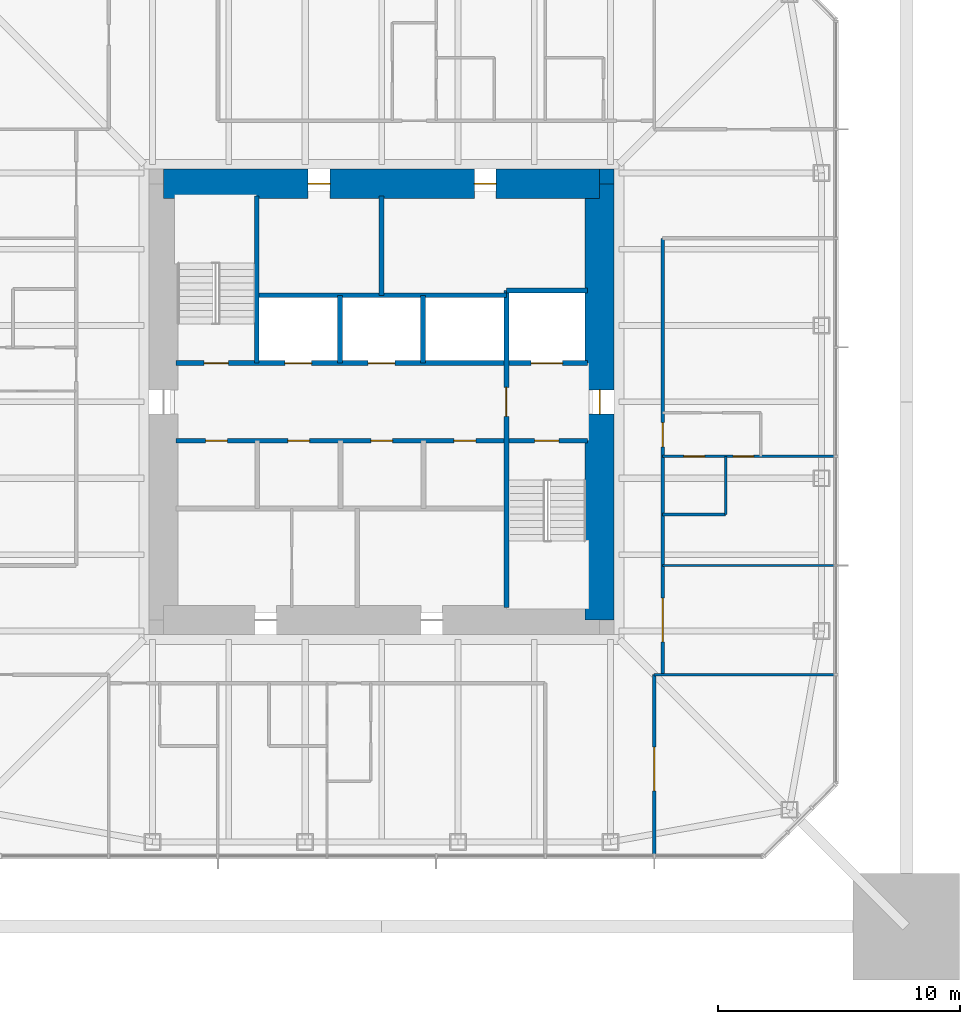
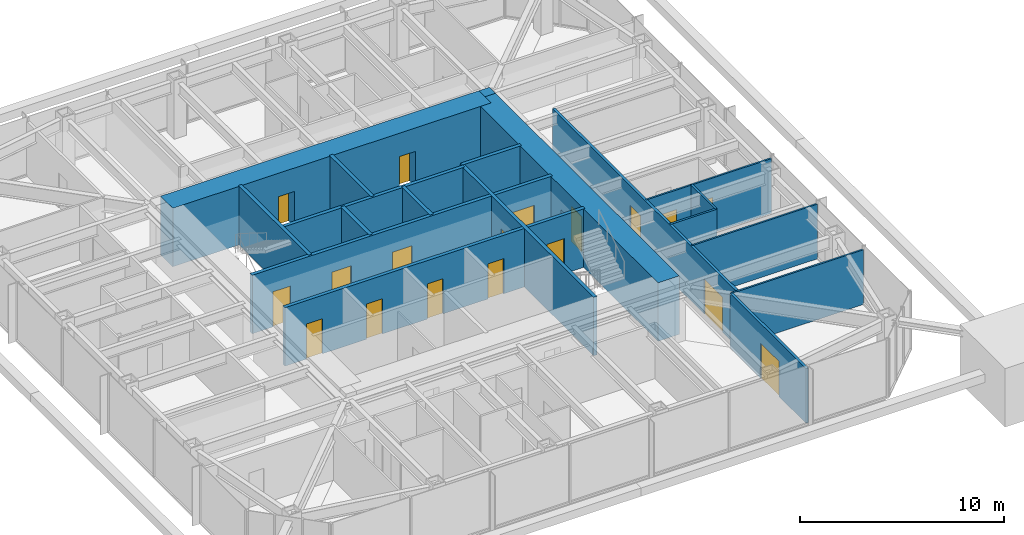
# One storey, part 9 of 13: 19 walls, 18 doors, 18 openings.
"""IFC4 building model written with IfcOpenShell, lengths in metres."""

from ifc_helpers import new_model, si_unit, direction, frame, frame_2d, origin, place, context, subcontext, project, spatial, rectangle, extrude, material, layer, layer_set, type_object, element, fill, save


model = new_model("IFC4")

# Units and contexts
model_context = context("Model", 3, precision=1e-05, world=origin(), true_north=direction((0.0, 1.0)))
body_context = subcontext(model_context, "Body", "Model", "MODEL_VIEW")
ifc_project = project(units=[si_unit("LENGTHUNIT", "METRE"), si_unit("AREAUNIT", "SQUARE_METRE"), si_unit("VOLUMEUNIT", "CUBIC_METRE"), si_unit("PLANEANGLEUNIT", "RADIAN"), si_unit("MASSUNIT", "GRAM", prefix="KILO")], contexts=[model_context])

# Site, building, storey
site_placement = place(None, origin())
site = spatial("IfcSite", under=ifc_project, at=site_placement, CompositionType="ELEMENT")
building_placement = place(site_placement, origin())
building = spatial("IfcBuilding", under=site, at=building_placement, Name="Iwan Alto Co-Living Towers", CompositionType="ELEMENT")
storey_placement = place(building_placement, frame((0.0, 0.0, 191.5)))
storey = spatial("IfcBuildingStorey", under=building, at=storey_placement, Name="L52", CompositionType="ELEMENT", Elevation=191.5)

# Wall, openings, doors
ifc_material_1 = material(Name="Gypsum board")
ifc_layer_1 = layer(ifc_material_1, 0.02490234375, Name="Board", Category="Finish")
ifc_material_2 = material(Name="Steel ASTM A1003 ST33H cold-formed studs", Category="steel")
ifc_layer_2 = layer(ifc_material_2, 0.10009765625, Name="Studs", Category="Framing")
ifc_layer_3 = layer(ifc_material_1, 0.02490234375, Name="Board", Category="Finish")
ifc_layer_set_1 = layer_set([ifc_layer_1, ifc_layer_2, ifc_layer_3], Name="CORRIDOR WALL 150")
wall_type_1 = type_object("IfcWallType", Name="CORRIDOR WALL 150", PredefinedType="PARTITIONING", material=ifc_layer_set_1)
wall_1_placement = place(storey_placement, frame((11.60009765625, -11.25, 0.0), z_axis=(0.0, 0.0, 1.0), x_axis=(0.0, 1.0, 0.0)))
wall_1 = element("IfcWall", 1, at=wall_1_placement, inside=storey, type_object=wall_type_1, Name="Partition L52", PredefinedType="PARTITIONING", context=body_context, shape_type="SweptSolid", body=[
    extrude(rectangle(XDim=18.0, YDim=0.14990234375, at=frame_2d((9.0, 0.0))), origin(), (0.0, 0.0, 1.0), 3.27001953125),
])
opening_1_placement = place(wall_1_placement, frame((1.35009765625, 0.0, 0.0)))
opening_1 = element("IfcOpeningElement", 2, at=opening_1_placement, cuts=wall_1, Name="Opening D9", PredefinedType="OPENING", context=body_context, shape_type="SweptSolid", body=[
    extrude(rectangle(XDim=1.800048828125, YDim=2.10009765625, at=frame_2d((0.89990234375, 1.050048828125))), frame((0.0, 0.0849609375, 0.0), z_axis=(0.0, -1.0, 0.0), x_axis=(1.0, 0.0, 0.0)), (0.0, 0.0, 1.0), 0.169921875),
])
opening_2_placement = place(wall_1_placement, frame((9.39990234375, 0.0, 0.0)))
opening_2 = element("IfcOpeningElement", 3, at=opening_2_placement, cuts=wall_1, Name="Opening D3", PredefinedType="OPENING", context=body_context, shape_type="SweptSolid", body=[
    extrude(rectangle(XDim=1.0, YDim=2.10009765625, at=frame_2d((0.5, 1.050048828125))), frame((0.0, 0.0849609375, 0.0), z_axis=(0.0, -1.0, 0.0), x_axis=(1.0, 0.0, 0.0)), (0.0, 0.0, 1.0), 0.169921875),
])
ifc_material_3 = material(Name="Steel frame with timber leaf", Category="steel")
door_type_1 = type_object("IfcDoorType", Name="FLAT ENTRANCE DOOR FD30S 1000X2100", OperationType="SINGLE_SWING_LEFT", PredefinedType="DOOR", material=ifc_material_3)
door_1_placement = place(opening_2_placement, frame((1.0, 0.0, 0.0), z_axis=(0.0, 0.0, 1.0), x_axis=(-1.0, 0.0, 0.0)))
door_1 = element("IfcDoor", 4, at=door_1_placement, inside=storey, type_object=door_type_1, Name="Apartment foyer door L52", OperationType="SINGLE_SWING_RIGHT", OverallHeight=2.10009765625, OverallWidth=1.0, PredefinedType="DOOR", context=body_context, shape_type="SweptSolid", body=[
    extrude(rectangle(XDim=1.0, YDim=2.10009765625, at=frame_2d((0.5, 1.050048828125))), frame((0.0, 0.02490234375, 0.0), z_axis=(0.0, -1.0, 0.0), x_axis=(1.0, 0.0, 0.0)), (0.0, 0.0, 1.0), 0.050048828125),
])
fill(opening_2, door_1)
ifc_material_4 = material(Name="Steel frame with timber leaf", Category="steel")
door_type_2 = type_object("IfcDoorType", Name="LOUNGE DOOR FD30S 1800X2100", OperationType="DOUBLE_DOOR_SINGLE_SWING", PredefinedType="DOOR", material=ifc_material_4)
door_2_placement = place(opening_1_placement, frame((1.800048828125, 0.0, 0.0), z_axis=(0.0, 0.0, 1.0), x_axis=(-1.0, 0.0, 0.0)))
door_2 = element("IfcDoor", 5, at=door_2_placement, inside=storey, type_object=door_type_2, Name="Games room door L52", OperationType="DOUBLE_DOOR_SINGLE_SWING", OverallHeight=2.10009765625, OverallWidth=1.800048828125, PredefinedType="DOOR", context=body_context, shape_type="SweptSolid", body=[
    extrude(rectangle(XDim=1.800048828125, YDim=2.10009765625, at=frame_2d((0.89990234375, 1.050048828125))), frame((0.0, 0.02490234375, 0.0), z_axis=(0.0, -1.0, 0.0), x_axis=(1.0, 0.0, 0.0)), (0.0, 0.0, 1.0), 0.050048828125),
])
fill(opening_1, door_2)

# Wall, opening, door
wall_2_placement = place(storey_placement, frame((11.25, -18.68994140625, 0.0), z_axis=(0.0, 0.0, 1.0), x_axis=(0.0, 1.0, 0.0)))
wall_2 = element("IfcWall", 6, at=wall_2_placement, inside=storey, type_object=wall_type_1, Name="Partition L52", PredefinedType="PARTITIONING", context=body_context, shape_type="SweptSolid", body=[
    extrude(rectangle(XDim=7.43994140625, YDim=0.14990234375, at=frame_2d((3.719970703125, 0.0))), origin(), (0.0, 0.0, 1.0), 3.27001953125),
])
opening_3_placement = place(wall_2_placement, frame((2.64501953125, 0.0, 0.0)))
opening_3 = element("IfcOpeningElement", 7, at=opening_3_placement, cuts=wall_2, Name="Opening D9", PredefinedType="OPENING", context=body_context, shape_type="SweptSolid", body=[
    extrude(rectangle(XDim=1.800048828125, YDim=2.10009765625, at=frame_2d((0.89990234375, 1.050048828125))), frame((0.0, 0.0849609375, 0.0), z_axis=(0.0, -1.0, 0.0), x_axis=(1.0, 0.0, 0.0)), (0.0, 0.0, 1.0), 0.169921875),
])
door_3_placement = place(opening_3_placement, frame((1.800048828125, 0.0, 0.0), z_axis=(0.0, 0.0, 1.0), x_axis=(-1.0, 0.0, 0.0)))
door_3 = element("IfcDoor", 8, at=door_3_placement, inside=storey, type_object=door_type_2, Name="Courtyard lounge door L52", OperationType="DOUBLE_DOOR_SINGLE_SWING", OverallHeight=2.10009765625, OverallWidth=1.800048828125, PredefinedType="DOOR", context=body_context, shape_type="SweptSolid", body=[
    extrude(rectangle(XDim=1.800048828125, YDim=2.10009765625, at=frame_2d((0.89990234375, 1.050048828125))), frame((0.0, 0.02490234375, 0.0), z_axis=(0.0, -1.0, 0.0), x_axis=(1.0, 0.0, 0.0)), (0.0, 0.0, 1.0), 0.050048828125),
])
fill(opening_3, door_3)

# Walls
ifc_layer_4 = layer(ifc_material_1, 0.012451171875, Name="Board", Category="Finish")
ifc_layer_5 = layer(ifc_material_2, 0.074951171875, Name="Studs", Category="Framing")
ifc_layer_6 = layer(ifc_material_1, 0.012451171875, Name="Board", Category="Finish")
ifc_layer_set_2 = layer_set([ifc_layer_4, ifc_layer_5, ifc_layer_6], Name="PARTITION 100")
wall_type_2 = type_object("IfcWallType", Name="PARTITION 100", PredefinedType="PARTITIONING", material=ifc_layer_set_2)
wall_3_placement = place(storey_placement, frame((11.25, -11.25, 0.0), z_axis=(0.0, 0.0, 1.0), x_axis=(1.0, 0.0, 0.0)))
element("IfcWall", 9, at=wall_3_placement, inside=storey, type_object=wall_type_2, Name="Partition L52", PredefinedType="PARTITIONING", context=body_context, shape_type="SweptSolid", body=[
    extrude(rectangle(XDim=7.43994140625, YDim=0.10009765625, at=frame_2d((3.719970703125, 0.0))), origin(), (0.0, 0.0, 1.0), 3.27001953125),
])
wall_4_placement = place(storey_placement, frame((11.60009765625, -6.75, 0.0), z_axis=(0.0, 0.0, 1.0), x_axis=(1.0, 0.0, 0.0)))
element("IfcWall", 10, at=wall_4_placement, inside=storey, type_object=wall_type_2, Name="Partition L52", PredefinedType="PARTITIONING", context=body_context, shape_type="SweptSolid", body=[
    extrude(rectangle(XDim=7.08984375, YDim=0.10009765625, at=frame_2d((3.544921875, 0.0))), origin(), (0.0, 0.0, 1.0), 3.27001953125),
])

# Wall, openings, doors
wall_5_placement = place(storey_placement, frame((11.60009765625, -2.25, 0.0), z_axis=(0.0, 0.0, 1.0), x_axis=(1.0, 0.0, 0.0)))
wall_5 = element("IfcWall", 11, at=wall_5_placement, inside=storey, type_object=wall_type_2, Name="Partition L52", PredefinedType="PARTITIONING", context=body_context, shape_type="SweptSolid", body=[
    extrude(rectangle(XDim=7.08984375, YDim=0.10009765625, at=frame_2d((3.544921875, 0.0))), origin(), (0.0, 0.0, 1.0), 3.27001953125),
])
opening_4_placement = place(wall_5_placement, frame((2.89990234375, 0.0, 0.0)))
opening_4 = element("IfcOpeningElement", 12, at=opening_4_placement, cuts=wall_5, Name="Opening D2", PredefinedType="OPENING", context=body_context, shape_type="SweptSolid", body=[
    extrude(rectangle(XDim=0.85009765625, YDim=2.10009765625, at=frame_2d((0.425048828125, 1.050048828125))), frame((0.0, 0.06005859375, 0.0), z_axis=(0.0, -1.0, 0.0), x_axis=(1.0, 0.0, 0.0)), (0.0, 0.0, 1.0), 0.1201171875),
])
opening_5_placement = place(wall_5_placement, frame((0.875, 0.0, 0.0)))
opening_5 = element("IfcOpeningElement", 13, at=opening_5_placement, cuts=wall_5, Name="Opening D2", PredefinedType="OPENING", context=body_context, shape_type="SweptSolid", body=[
    extrude(rectangle(XDim=0.85009765625, YDim=2.10009765625, at=frame_2d((0.425048828125, 1.050048828125))), frame((0.0, 0.06005859375, 0.0), z_axis=(0.0, -1.0, 0.0), x_axis=(1.0, 0.0, 0.0)), (0.0, 0.0, 1.0), 0.1201171875),
])
ifc_material_5 = material(Name="Timber leaf in steel frame", Category="steel")
door_type_3 = type_object("IfcDoorType", Name="ROOM DOOR 850X2100", OperationType="SINGLE_SWING_LEFT", PredefinedType="DOOR", material=ifc_material_5)
door_4_placement = place(opening_4_placement, frame((0.85009765625, 0.0, 0.0), z_axis=(0.0, 0.0, 1.0), x_axis=(-1.0, 0.0, 0.0)))
door_4 = element("IfcDoor", 14, at=door_4_placement, inside=storey, type_object=door_type_3, Name="Bedroom door L52", OperationType="SINGLE_SWING_RIGHT", OverallHeight=2.10009765625, OverallWidth=0.85009765625, PredefinedType="DOOR", context=body_context, shape_type="SweptSolid", body=[
    extrude(rectangle(XDim=0.85009765625, YDim=2.10009765625, at=frame_2d((0.425048828125, 1.050048828125))), frame((0.0, 0.02490234375, 0.0), z_axis=(0.0, -1.0, 0.0), x_axis=(1.0, 0.0, 0.0)), (0.0, 0.0, 1.0), 0.050048828125),
])
fill(opening_4, door_4)
door_5_placement = place(opening_5_placement, frame((0.85009765625, 0.0, 0.0), z_axis=(0.0, 0.0, 1.0), x_axis=(-1.0, 0.0, 0.0)))
door_5 = element("IfcDoor", 15, at=door_5_placement, inside=storey, type_object=door_type_3, Name="Bathroom door L52", OperationType="SINGLE_SWING_RIGHT", OverallHeight=2.10009765625, OverallWidth=0.85009765625, PredefinedType="DOOR", context=body_context, shape_type="SweptSolid", body=[
    extrude(rectangle(XDim=0.85009765625, YDim=2.10009765625, at=frame_2d((0.425048828125, 1.050048828125))), frame((0.0, 0.02490234375, 0.0), z_axis=(0.0, -1.0, 0.0), x_axis=(1.0, 0.0, 0.0)), (0.0, 0.0, 1.0), 0.050048828125),
])
fill(opening_5, door_5)

ifc_material_6 = material(Name="Concrete f'c 70 MPa", Category="concrete")
ifc_layer_7 = layer(ifc_material_6, 0.199951171875)
ifc_layer_set_3 = layer_set([ifc_layer_7], Name="SHAFT WALL 200")
wall_type_3 = type_object("IfcWallType", Name="SHAFT WALL 200", PredefinedType="SOLIDWALL", material=ifc_layer_set_3)
wall_6_placement = place(storey_placement, frame((-8.489990234375, -1.60009765625, 0.0), z_axis=(0.0, 0.0, 1.0), x_axis=(1.0, 0.0, 0.0)))
wall_6 = element("IfcWall", 16, at=wall_6_placement, inside=storey, type_object=wall_type_3, Name="Shaft wall L52", PredefinedType="SOLIDWALL", context=body_context, shape_type="SweptSolid", body=[
    extrude(rectangle(XDim=16.97998046875, YDim=0.199951171875, at=frame_2d((8.489990234375, 0.0))), origin(), (0.0, 0.0, 1.0), 3.5),
])
opening_6_placement = place(wall_6_placement, frame((14.81005859375, 0.0, 0.0)))
opening_6 = element("IfcOpeningElement", 17, at=opening_6_placement, cuts=wall_6, Name="Opening D5", PredefinedType="OPENING", context=body_context, shape_type="SweptSolid", body=[
    extrude(rectangle(XDim=1.0, YDim=2.10009765625, at=frame_2d((0.5, 1.050048828125))), frame((0.0, 0.10986328125, 0.0), z_axis=(0.0, -1.0, 0.0), x_axis=(1.0, 0.0, 0.0)), (0.0, 0.0, 1.0), 0.219970703125),
])
opening_7_placement = place(wall_6_placement, frame((1.23193359375, 0.0, 0.0)))
opening_7 = element("IfcOpeningElement", 18, at=opening_7_placement, cuts=wall_6, Name="Opening D15", PredefinedType="OPENING", context=body_context, shape_type="SweptSolid", body=[
    extrude(rectangle(XDim=0.89990234375, YDim=2.10009765625, at=frame_2d((0.449951171875, 1.050048828125))), frame((0.0, 0.10986328125, 0.0), z_axis=(0.0, -1.0, 0.0), x_axis=(1.0, 0.0, 0.0)), (0.0, 0.0, 1.0), 0.219970703125),
])
opening_8_placement = place(wall_6_placement, frame((4.626953125, 0.0, 0.0)))
opening_8 = element("IfcOpeningElement", 19, at=opening_8_placement, cuts=wall_6, Name="Opening D15", PredefinedType="OPENING", context=body_context, shape_type="SweptSolid", body=[
    extrude(rectangle(XDim=0.89990234375, YDim=2.10009765625, at=frame_2d((0.449951171875, 1.050048828125))), frame((0.0, 0.10986328125, 0.0), z_axis=(0.0, -1.0, 0.0), x_axis=(1.0, 0.0, 0.0)), (0.0, 0.0, 1.0), 0.219970703125),
])
opening_9_placement = place(wall_6_placement, frame((8.052001953125, 0.0, 0.0)))
opening_9 = element("IfcOpeningElement", 20, at=opening_9_placement, cuts=wall_6, Name="Opening D15", PredefinedType="OPENING", context=body_context, shape_type="SweptSolid", body=[
    extrude(rectangle(XDim=0.89990234375, YDim=2.10009765625, at=frame_2d((0.449951171875, 1.050048828125))), frame((0.0, 0.10986328125, 0.0), z_axis=(0.0, -1.0, 0.0), x_axis=(1.0, 0.0, 0.0)), (0.0, 0.0, 1.0), 0.219970703125),
])
opening_10_placement = place(wall_6_placement, frame((11.47802734375, 0.0, 0.0)))
opening_10 = element("IfcOpeningElement", 21, at=opening_10_placement, cuts=wall_6, Name="Opening D15", PredefinedType="OPENING", context=body_context, shape_type="SweptSolid", body=[
    extrude(rectangle(XDim=0.89990234375, YDim=2.10009765625, at=frame_2d((0.449951171875, 1.050048828125))), frame((0.0, 0.10986328125, 0.0), z_axis=(0.0, -1.0, 0.0), x_axis=(1.0, 0.0, 0.0)), (0.0, 0.0, 1.0), 0.219970703125),
])
ifc_material_7 = material(Name="Steel frame with timber leaf", Category="steel")
door_type_4 = type_object("IfcDoorType", Name="CORE ROOM DOOR FD60S 900X2100", OperationType="SINGLE_SWING_LEFT", PredefinedType="DOOR", material=ifc_material_7)
door_6_placement = place(opening_7_placement, frame((0.89990234375, 0.0, 0.0), z_axis=(0.0, 0.0, 1.0), x_axis=(-1.0, 0.0, 0.0)))
door_6 = element("IfcDoor", 22, at=door_6_placement, inside=storey, type_object=door_type_4, Name="Housekeeping store door L52", OperationType="SINGLE_SWING_LEFT", OverallHeight=2.10009765625, OverallWidth=0.89990234375, PredefinedType="DOOR", context=body_context, shape_type="SweptSolid", body=[
    extrude(rectangle(XDim=0.89990234375, YDim=2.10009765625, at=frame_2d((0.449951171875, 1.050048828125))), frame((0.0, 0.02490234375, 0.0), z_axis=(0.0, -1.0, 0.0), x_axis=(1.0, 0.0, 0.0)), (0.0, 0.0, 1.0), 0.050048828125),
])
fill(opening_7, door_6)
door_7_placement = place(opening_8_placement, frame((0.89990234375, 0.0, 0.0), z_axis=(0.0, 0.0, 1.0), x_axis=(-1.0, 0.0, 0.0)))
door_7 = element("IfcDoor", 23, at=door_7_placement, inside=storey, type_object=door_type_4, Name="Staff WC door L52", OperationType="SINGLE_SWING_RIGHT", OverallHeight=2.10009765625, OverallWidth=0.89990234375, PredefinedType="DOOR", context=body_context, shape_type="SweptSolid", body=[
    extrude(rectangle(XDim=0.89990234375, YDim=2.10009765625, at=frame_2d((0.449951171875, 1.050048828125))), frame((0.0, 0.02490234375, 0.0), z_axis=(0.0, -1.0, 0.0), x_axis=(1.0, 0.0, 0.0)), (0.0, 0.0, 1.0), 0.050048828125),
])
fill(opening_8, door_7)
door_8_placement = place(opening_9_placement, frame((0.89990234375, 0.0, 0.0), z_axis=(0.0, 0.0, 1.0), x_axis=(-1.0, 0.0, 0.0)))
door_8 = element("IfcDoor", 24, at=door_8_placement, inside=storey, type_object=door_type_4, Name="Comms room door L52", OperationType="SINGLE_SWING_RIGHT", OverallHeight=2.10009765625, OverallWidth=0.89990234375, PredefinedType="DOOR", context=body_context, shape_type="SweptSolid", body=[
    extrude(rectangle(XDim=0.89990234375, YDim=2.10009765625, at=frame_2d((0.449951171875, 1.050048828125))), frame((0.0, 0.02490234375, 0.0), z_axis=(0.0, -1.0, 0.0), x_axis=(1.0, 0.0, 0.0)), (0.0, 0.0, 1.0), 0.050048828125),
])
fill(opening_9, door_8)
door_9_placement = place(opening_10_placement, frame((0.89990234375, 0.0, 0.0), z_axis=(0.0, 0.0, 1.0), x_axis=(-1.0, 0.0, 0.0)))
door_9 = element("IfcDoor", 25, at=door_9_placement, inside=storey, type_object=door_type_4, Name="Staff WC door L52", OperationType="SINGLE_SWING_RIGHT", OverallHeight=2.10009765625, OverallWidth=0.89990234375, PredefinedType="DOOR", context=body_context, shape_type="SweptSolid", body=[
    extrude(rectangle(XDim=0.89990234375, YDim=2.10009765625, at=frame_2d((0.449951171875, 1.050048828125))), frame((0.0, 0.02490234375, 0.0), z_axis=(0.0, -1.0, 0.0), x_axis=(1.0, 0.0, 0.0)), (0.0, 0.0, 1.0), 0.050048828125),
])
fill(opening_10, door_9)
ifc_material_8 = material(Name="Steel frame with timber leaf", Category="steel")
door_type_5 = type_object("IfcDoorType", Name="STAIR DOOR FD120S 1000X2100", OperationType="SINGLE_SWING_LEFT", PredefinedType="DOOR", material=ifc_material_8)
door_10_placement = place(opening_6_placement, frame((1.0, 0.0, 0.0), z_axis=(0.0, 0.0, 1.0), x_axis=(-1.0, 0.0, 0.0)))
door_10 = element("IfcDoor", 26, at=door_10_placement, inside=storey, type_object=door_type_5, Name="Stair S2 door L52", OperationType="SINGLE_SWING_RIGHT", OverallHeight=2.10009765625, OverallWidth=1.0, PredefinedType="DOOR", context=body_context, shape_type="SweptSolid", body=[
    extrude(rectangle(XDim=1.0, YDim=2.10009765625, at=frame_2d((0.5, 1.050048828125))), frame((0.0, 0.02490234375, 0.0), z_axis=(0.0, -1.0, 0.0), x_axis=(1.0, 0.0, 0.0)), (0.0, 0.0, 1.0), 0.050048828125),
])
fill(opening_6, door_10)

wall_7_placement = place(storey_placement, frame((-8.489990234375, 1.60009765625, 0.0), z_axis=(0.0, 0.0, 1.0), x_axis=(1.0, 0.0, 0.0)))
wall_7 = element("IfcWall", 27, at=wall_7_placement, inside=storey, type_object=wall_type_3, Name="Shaft wall L52", PredefinedType="SOLIDWALL", context=body_context, shape_type="SweptSolid", body=[
    extrude(rectangle(XDim=16.97998046875, YDim=0.199951171875, at=frame_2d((8.489990234375, 0.0))), origin(), (0.0, 0.0, 1.0), 3.5),
])
opening_11_placement = place(wall_7_placement, frame((1.169921875, 0.0, 0.0)))
opening_11 = element("IfcOpeningElement", 28, at=opening_11_placement, cuts=wall_7, Name="Opening D5", PredefinedType="OPENING", context=body_context, shape_type="SweptSolid", body=[
    extrude(rectangle(XDim=1.0, YDim=2.10009765625, at=frame_2d((0.5, 1.050048828125))), frame((0.0, 0.10986328125, 0.0), z_axis=(0.0, -1.0, 0.0), x_axis=(1.0, 0.0, 0.0)), (0.0, 0.0, 1.0), 0.219970703125),
])
opening_12_placement = place(wall_7_placement, frame((4.506103515625, 0.0, 0.0)))
opening_12 = element("IfcOpeningElement", 29, at=opening_12_placement, cuts=wall_7, Name="Opening LD", PredefinedType="OPENING", context=body_context, shape_type="SweptSolid", body=[
    extrude(rectangle(XDim=1.10009765625, YDim=2.10009765625, at=frame_2d((0.550048828125, 1.050048828125))), frame((0.0, 0.10986328125, 0.0), z_axis=(0.0, -1.0, 0.0), x_axis=(1.0, 0.0, 0.0)), (0.0, 0.0, 1.0), 0.219970703125),
])
opening_13_placement = place(wall_7_placement, frame((7.93994140625, 0.0, 0.0)))
opening_13 = element("IfcOpeningElement", 30, at=opening_13_placement, cuts=wall_7, Name="Opening LD", PredefinedType="OPENING", context=body_context, shape_type="SweptSolid", body=[
    extrude(rectangle(XDim=1.10009765625, YDim=2.10009765625, at=frame_2d((0.550048828125, 1.050048828125))), frame((0.0, 0.10986328125, 0.0), z_axis=(0.0, -1.0, 0.0), x_axis=(1.0, 0.0, 0.0)), (0.0, 0.0, 1.0), 0.219970703125),
])
opening_14_placement = place(wall_7_placement, frame((14.659912109375, 0.0, 0.0)))
opening_14 = element("IfcOpeningElement", 31, at=opening_14_placement, cuts=wall_7, Name="Opening LD2", PredefinedType="OPENING", context=body_context, shape_type="SweptSolid", body=[
    extrude(rectangle(XDim=1.300048828125, YDim=2.10009765625, at=frame_2d((0.64990234375, 1.050048828125))), frame((0.0, 0.10986328125, 0.0), z_axis=(0.0, -1.0, 0.0), x_axis=(1.0, 0.0, 0.0)), (0.0, 0.0, 1.0), 0.219970703125),
])
ifc_material_9 = material(Name="Steel frame with timber leaf", Category="steel")
door_type_6 = type_object("IfcDoorType", Name="LIFT LANDING DOOR 1100X2100", OperationType="DOUBLE_DOOR_SLIDING", PredefinedType="DOOR", material=ifc_material_9)
door_11_placement = place(opening_12_placement, origin())
door_11 = element("IfcDoor", 32, at=door_11_placement, inside=storey, type_object=door_type_6, Name="Lift P3-1 landing door L52", OperationType="DOUBLE_DOOR_SLIDING", OverallHeight=2.10009765625, OverallWidth=1.10009765625, PredefinedType="DOOR", context=body_context, shape_type="SweptSolid", body=[
    extrude(rectangle(XDim=1.10009765625, YDim=2.10009765625, at=frame_2d((0.550048828125, 1.050048828125))), frame((0.0, 0.02490234375, 0.0), z_axis=(0.0, -1.0, 0.0), x_axis=(1.0, 0.0, 0.0)), (0.0, 0.0, 1.0), 0.050048828125),
])
fill(opening_12, door_11)
door_12_placement = place(opening_13_placement, origin())
door_12 = element("IfcDoor", 33, at=door_12_placement, inside=storey, type_object=door_type_6, Name="Lift P3-2 landing door L52", OperationType="DOUBLE_DOOR_SLIDING", OverallHeight=2.10009765625, OverallWidth=1.10009765625, PredefinedType="DOOR", context=body_context, shape_type="SweptSolid", body=[
    extrude(rectangle(XDim=1.10009765625, YDim=2.10009765625, at=frame_2d((0.550048828125, 1.050048828125))), frame((0.0, 0.02490234375, 0.0), z_axis=(0.0, -1.0, 0.0), x_axis=(1.0, 0.0, 0.0)), (0.0, 0.0, 1.0), 0.050048828125),
])
fill(opening_13, door_12)
ifc_material_10 = material(Name="Steel frame with timber leaf", Category="steel")
door_type_7 = type_object("IfcDoorType", Name="LIFT LANDING DOOR 1300X2100", OperationType="SLIDING_TO_LEFT", PredefinedType="DOOR", material=ifc_material_10)
door_13_placement = place(opening_14_placement, origin())
door_13 = element("IfcDoor", 34, at=door_13_placement, inside=storey, type_object=door_type_7, Name="Lift FL1 landing door L52", OperationType="SLIDING_TO_LEFT", OverallHeight=2.10009765625, OverallWidth=1.300048828125, PredefinedType="DOOR", context=body_context, shape_type="SweptSolid", body=[
    extrude(rectangle(XDim=1.300048828125, YDim=2.10009765625, at=frame_2d((0.64990234375, 1.050048828125))), frame((0.0, 0.02490234375, 0.0), z_axis=(0.0, -1.0, 0.0), x_axis=(1.0, 0.0, 0.0)), (0.0, 0.0, 1.0), 0.050048828125),
])
fill(opening_14, door_13)
door_14_placement = place(opening_11_placement, origin())
door_14 = element("IfcDoor", 35, at=door_14_placement, inside=storey, type_object=door_type_5, Name="Stair S1 door L52", OperationType="SINGLE_SWING_RIGHT", OverallHeight=2.10009765625, OverallWidth=1.0, PredefinedType="DOOR", context=body_context, shape_type="SweptSolid", body=[
    extrude(rectangle(XDim=1.0, YDim=2.10009765625, at=frame_2d((0.5, 1.050048828125))), frame((0.0, 0.02490234375, 0.0), z_axis=(0.0, -1.0, 0.0), x_axis=(1.0, 0.0, 0.0)), (0.0, 0.0, 1.0), 0.050048828125),
])
fill(opening_11, door_14)

# Walls
wall_8_placement = place(storey_placement, frame((-5.14990234375, 4.39990234375, 0.0), z_axis=(0.0, 0.0, 1.0), x_axis=(1.0, 0.0, 0.0)))
element("IfcWall", 36, at=wall_8_placement, inside=storey, type_object=wall_type_3, Name="Shaft wall L52", PredefinedType="SOLIDWALL", context=body_context, shape_type="SweptSolid", body=[
    extrude(rectangle(XDim=10.2998046875, YDim=0.199951171875, at=frame_2d((5.14990234375, 0.0))), origin(), (0.0, 0.0, 1.0), 3.5),
])
wall_9_placement = place(storey_placement, frame((5.14990234375, 4.60009765625, 0.0), z_axis=(0.0, 0.0, 1.0), x_axis=(1.0, 0.0, 0.0)))
element("IfcWall", 37, at=wall_9_placement, inside=storey, type_object=wall_type_3, Name="Shaft wall L52", PredefinedType="SOLIDWALL", context=body_context, shape_type="SweptSolid", body=[
    extrude(rectangle(XDim=3.340087890625, YDim=0.199951171875, at=frame_2d((1.669921875, 0.0))), origin(), (0.0, 0.0, 1.0), 3.5),
])

# Wall, opening, door
wall_10_placement = place(storey_placement, frame((5.14990234375, -8.489990234375, 0.0), z_axis=(0.0, 0.0, 1.0), x_axis=(0.0, 1.0, 0.0)))
wall_10 = element("IfcWall", 38, at=wall_10_placement, inside=storey, type_object=wall_type_3, Name="Shaft wall L52", PredefinedType="SOLIDWALL", context=body_context, shape_type="SweptSolid", body=[
    extrude(rectangle(XDim=13.090087890625, YDim=0.199951171875, at=frame_2d((6.544921875, 0.0))), origin(), (0.0, 0.0, 1.0), 3.5),
])
opening_15_placement = place(wall_10_placement, frame((7.889892578125, 0.0, 0.0)))
opening_15 = element("IfcOpeningElement", 39, at=opening_15_placement, cuts=wall_10, Name="Opening D6", PredefinedType="OPENING", context=body_context, shape_type="SweptSolid", body=[
    extrude(rectangle(XDim=1.199951171875, YDim=2.10009765625, at=frame_2d((0.60009765625, 1.050048828125))), frame((0.0, 0.10986328125, 0.0), z_axis=(0.0, -1.0, 0.0), x_axis=(1.0, 0.0, 0.0)), (0.0, 0.0, 1.0), 0.219970703125),
])
ifc_material_11 = material(Name="Steel frame with timber leaf", Category="steel")
door_type_8 = type_object("IfcDoorType", Name="LOBBY DOOR FD120S 1200X2100", OperationType="SINGLE_SWING_LEFT", PredefinedType="DOOR", material=ifc_material_11)
door_15_placement = place(opening_15_placement, frame((1.199951171875, 0.0, 0.0), z_axis=(0.0, 0.0, 1.0), x_axis=(-1.0, 0.0, 0.0)))
door_15 = element("IfcDoor", 40, at=door_15_placement, inside=storey, type_object=door_type_8, Name="Firefighting lobby door L52", OperationType="SINGLE_SWING_RIGHT", OverallHeight=2.10009765625, OverallWidth=1.199951171875, PredefinedType="DOOR", context=body_context, shape_type="SweptSolid", body=[
    extrude(rectangle(XDim=1.199951171875, YDim=2.10009765625, at=frame_2d((0.60009765625, 1.050048828125))), frame((0.0, 0.02490234375, 0.0), z_axis=(0.0, -1.0, 0.0), x_axis=(1.0, 0.0, 0.0)), (0.0, 0.0, 1.0), 0.050048828125),
])
fill(opening_15, door_15)

# Walls
wall_11_placement = place(storey_placement, frame((1.717041015625, 1.60009765625, 0.0), z_axis=(0.0, 0.0, 1.0), x_axis=(0.0, 1.0, 0.0)))
element("IfcWall", 41, at=wall_11_placement, inside=storey, type_object=wall_type_3, Name="Shaft wall L52", PredefinedType="SOLIDWALL", context=body_context, shape_type="SweptSolid", body=[
    extrude(rectangle(XDim=2.7998046875, YDim=0.199951171875, at=frame_2d((1.39990234375, 0.0))), origin(), (0.0, 0.0, 1.0), 3.5),
])
wall_12_placement = place(storey_placement, frame((0.0, 4.39990234375, 0.0), z_axis=(0.0, 0.0, 1.0), x_axis=(0.0, 1.0, 0.0)))
element("IfcWall", 42, at=wall_12_placement, inside=storey, type_object=wall_type_3, Name="Shaft wall L52", PredefinedType="SOLIDWALL", context=body_context, shape_type="SweptSolid", body=[
    extrude(rectangle(XDim=4.090087890625, YDim=0.199951171875, at=frame_2d((2.044921875, 0.0))), origin(), (0.0, 0.0, 1.0), 3.5),
])
wall_13_placement = place(storey_placement, frame((-1.717041015625, 1.60009765625, 0.0), z_axis=(0.0, 0.0, 1.0), x_axis=(0.0, 1.0, 0.0)))
element("IfcWall", 43, at=wall_13_placement, inside=storey, type_object=wall_type_3, Name="Shaft wall L52", PredefinedType="SOLIDWALL", context=body_context, shape_type="SweptSolid", body=[
    extrude(rectangle(XDim=2.7998046875, YDim=0.199951171875, at=frame_2d((1.39990234375, 0.0))), origin(), (0.0, 0.0, 1.0), 3.5),
])
wall_14_placement = place(storey_placement, frame((-5.14990234375, 1.60009765625, 0.0), z_axis=(0.0, 0.0, 1.0), x_axis=(0.0, 1.0, 0.0)))
element("IfcWall", 44, at=wall_14_placement, inside=storey, type_object=wall_type_3, Name="Shaft wall L52", PredefinedType="SOLIDWALL", context=body_context, shape_type="SweptSolid", body=[
    extrude(rectangle(XDim=6.889892578125, YDim=0.199951171875, at=frame_2d((3.44482421875, 0.0))), origin(), (0.0, 0.0, 1.0), 3.5),
])
ifc_material_12 = material(Name="Concrete f'c 70 MPa", Category="concrete")
ifc_layer_8 = layer(ifc_material_12, 0.60009765625)
ifc_layer_set_4 = layer_set([ifc_layer_8], Name="T1 CORE CORNER FILL 600")
wall_type_4 = type_object("IfcWallType", Name="T1 CORE CORNER FILL 600", PredefinedType="SOLIDWALL", material=ifc_layer_set_4)
wall_15_placement = place(storey_placement, frame((9.0, 9.300048828125, 0.0), z_axis=(0.0, 0.0, 1.0), x_axis=(1.0, 0.0, 0.0)))
element("IfcWall", 45, at=wall_15_placement, inside=storey, type_object=wall_type_4, Name="T1 core corner NE L52", PredefinedType="SOLIDWALL", context=body_context, shape_type="SweptSolid", body=[
    extrude(rectangle(XDim=0.60009765625, YDim=0.60009765625, at=frame_2d((0.300048828125, 0.0))), origin(), (0.0, 0.0, 1.0), 3.5),
])

# Wall, openings, doors
ifc_material_13 = material(Name="Concrete f'c 70 MPa", Category="concrete")
ifc_layer_9 = layer(ifc_material_13, 1.199951171875)
ifc_layer_set_5 = layer_set([ifc_layer_9], Name="T1 CORE WALL 1200")
wall_type_5 = type_object("IfcWallType", Name="T1 CORE WALL 1200", PredefinedType="SHEAR", material=ifc_layer_set_5)
wall_16_placement = place(storey_placement, frame((9.0, 9.0, 0.0), z_axis=(0.0, 0.0, 1.0), x_axis=(-1.0, 0.0, 0.0)))
wall_16 = element("IfcWall", 46, at=wall_16_placement, inside=storey, type_object=wall_type_5, Name="T1 core wall N L52", PredefinedType="SHEAR", context=body_context, shape_type="SweptSolid", body=[
    extrude(rectangle(XDim=18.0, YDim=1.199951171875, at=frame_2d((9.0, 0.0))), origin(), (0.0, 0.0, 1.0), 3.5),
])
opening_16_placement = place(wall_16_placement, frame((11.125, 0.0, 0.0)))
opening_16 = element("IfcOpeningElement", 47, at=opening_16_placement, cuts=wall_16, Name="Opening D8", PredefinedType="OPENING", context=body_context, shape_type="SweptSolid", body=[
    extrude(rectangle(XDim=0.89990234375, YDim=2.10009765625, at=frame_2d((0.449951171875, 1.050048828125))), frame((0.0, 0.60986328125, 0.0), z_axis=(0.0, -1.0, 0.0), x_axis=(1.0, 0.0, 0.0)), (0.0, 0.0, 1.0), 1.219970703125),
])
opening_17_placement = place(wall_16_placement, frame((4.27490234375, 0.0, 0.0)))
opening_17 = element("IfcOpeningElement", 48, at=opening_17_placement, cuts=wall_16, Name="Opening D8", PredefinedType="OPENING", context=body_context, shape_type="SweptSolid", body=[
    extrude(rectangle(XDim=0.89990234375, YDim=2.10009765625, at=frame_2d((0.449951171875, 1.050048828125))), frame((0.0, 0.60986328125, 0.0), z_axis=(0.0, -1.0, 0.0), x_axis=(1.0, 0.0, 0.0)), (0.0, 0.0, 1.0), 1.219970703125),
])
ifc_material_14 = material(Name="Steel frame with timber leaf", Category="steel")
door_type_9 = type_object("IfcDoorType", Name="RISER DOOR FD120 900X2100", OperationType="SINGLE_SWING_LEFT", PredefinedType="DOOR", material=ifc_material_14)
door_16_placement = place(opening_16_placement, origin())
door_16 = element("IfcDoor", 49, at=door_16_placement, inside=storey, type_object=door_type_9, Name="Electrical riser core door L52", OperationType="SINGLE_SWING_RIGHT", OverallHeight=2.10009765625, OverallWidth=0.89990234375, PredefinedType="DOOR", context=body_context, shape_type="SweptSolid", body=[
    extrude(rectangle(XDim=0.89990234375, YDim=2.10009765625, at=frame_2d((0.449951171875, 1.050048828125))), frame((0.0, 0.02490234375, 0.0), z_axis=(0.0, -1.0, 0.0), x_axis=(1.0, 0.0, 0.0)), (0.0, 0.0, 1.0), 0.050048828125),
])
fill(opening_16, door_16)
door_17_placement = place(opening_17_placement, origin())
door_17 = element("IfcDoor", 50, at=door_17_placement, inside=storey, type_object=door_type_9, Name="Water and drainage riser core door L52", OperationType="SINGLE_SWING_RIGHT", OverallHeight=2.10009765625, OverallWidth=0.89990234375, PredefinedType="DOOR", context=body_context, shape_type="SweptSolid", body=[
    extrude(rectangle(XDim=0.89990234375, YDim=2.10009765625, at=frame_2d((0.449951171875, 1.050048828125))), frame((0.0, 0.02490234375, 0.0), z_axis=(0.0, -1.0, 0.0), x_axis=(1.0, 0.0, 0.0)), (0.0, 0.0, 1.0), 0.050048828125),
])
fill(opening_17, door_17)

# Wall, opening, door
wall_17_placement = place(storey_placement, frame((9.0, -9.0, 0.0), z_axis=(0.0, 0.0, 1.0), x_axis=(0.0, 1.0, 0.0)))
wall_17 = element("IfcWall", 51, at=wall_17_placement, inside=storey, type_object=wall_type_5, Name="T1 core wall E L52", PredefinedType="SHEAR", context=body_context, shape_type="SweptSolid", body=[
    extrude(rectangle(XDim=18.0, YDim=1.199951171875, at=frame_2d((9.0, 0.0))), origin(), (0.0, 0.0, 1.0), 3.5),
])
opening_18_placement = place(wall_17_placement, frame((8.5, 0.0, 0.0)))
opening_18 = element("IfcOpeningElement", 52, at=opening_18_placement, cuts=wall_17, Name="Opening D7", PredefinedType="OPENING", context=body_context, shape_type="SweptSolid", body=[
    extrude(rectangle(XDim=1.0, YDim=2.10009765625, at=frame_2d((0.5, 1.050048828125))), frame((0.0, 0.60986328125, 0.0), z_axis=(0.0, -1.0, 0.0), x_axis=(1.0, 0.0, 0.0)), (0.0, 0.0, 1.0), 1.219970703125),
])
ifc_material_15 = material(Name="Steel frame with timber leaf", Category="steel")
door_type_10 = type_object("IfcDoorType", Name="CORE DOOR FD120S 1000X2100", OperationType="SINGLE_SWING_LEFT", PredefinedType="DOOR", material=ifc_material_15)
door_18_placement = place(opening_18_placement, origin())
door_18 = element("IfcDoor", 53, at=door_18_placement, inside=storey, type_object=door_type_10, Name="Firefighting lobby core door L52", OperationType="SINGLE_SWING_LEFT", OverallHeight=2.10009765625, OverallWidth=1.0, PredefinedType="DOOR", context=body_context, shape_type="SweptSolid", body=[
    extrude(rectangle(XDim=1.0, YDim=2.10009765625, at=frame_2d((0.5, 1.050048828125))), frame((0.0, 0.02490234375, 0.0), z_axis=(0.0, -1.0, 0.0), x_axis=(1.0, 0.0, 0.0)), (0.0, 0.0, 1.0), 0.050048828125),
])
fill(opening_18, door_18)

# Walls
ifc_material_16 = material(Name="Cement board")
ifc_layer_10 = layer(ifc_material_16, 0.012451171875, Name="Board", Category="Finish")
ifc_layer_11 = layer(ifc_material_2, 0.094970703125, Name="Studs", Category="Framing")
ifc_layer_12 = layer(ifc_material_16, 0.012451171875, Name="Board", Category="Finish")
ifc_layer_set_6 = layer_set([ifc_layer_10, ifc_layer_11, ifc_layer_12], Name="WET AREA PARTITION 120")
wall_type_6 = type_object("IfcWallType", Name="WET AREA PARTITION 120", PredefinedType="PARTITIONING", material=ifc_layer_set_6)
wall_18_placement = place(storey_placement, frame((11.60009765625, -4.64990234375, 0.0), z_axis=(0.0, 0.0, 1.0), x_axis=(1.0, 0.0, 0.0)))
element("IfcWall", 54, at=wall_18_placement, inside=storey, type_object=wall_type_6, Name="Partition L52", PredefinedType="PARTITIONING", context=body_context, shape_type="SweptSolid", body=[
    extrude(rectangle(XDim=2.599853515625, YDim=0.1201171875, at=frame_2d((1.2998046875, 0.0))), origin(), (0.0, 0.0, 1.0), 3.27001953125),
])
wall_19_placement = place(storey_placement, frame((14.199951171875, -4.64990234375, 0.0), z_axis=(0.0, 0.0, 1.0), x_axis=(0.0, 1.0, 0.0)))
element("IfcWall", 55, at=wall_19_placement, inside=storey, type_object=wall_type_6, Name="Partition L52", PredefinedType="PARTITIONING", context=body_context, shape_type="SweptSolid", body=[
    extrude(rectangle(XDim=2.39990234375, YDim=0.1201171875, at=frame_2d((1.199951171875, 0.0))), origin(), (0.0, 0.0, 1.0), 3.27001953125),
])

save(model, "model.ifc")
